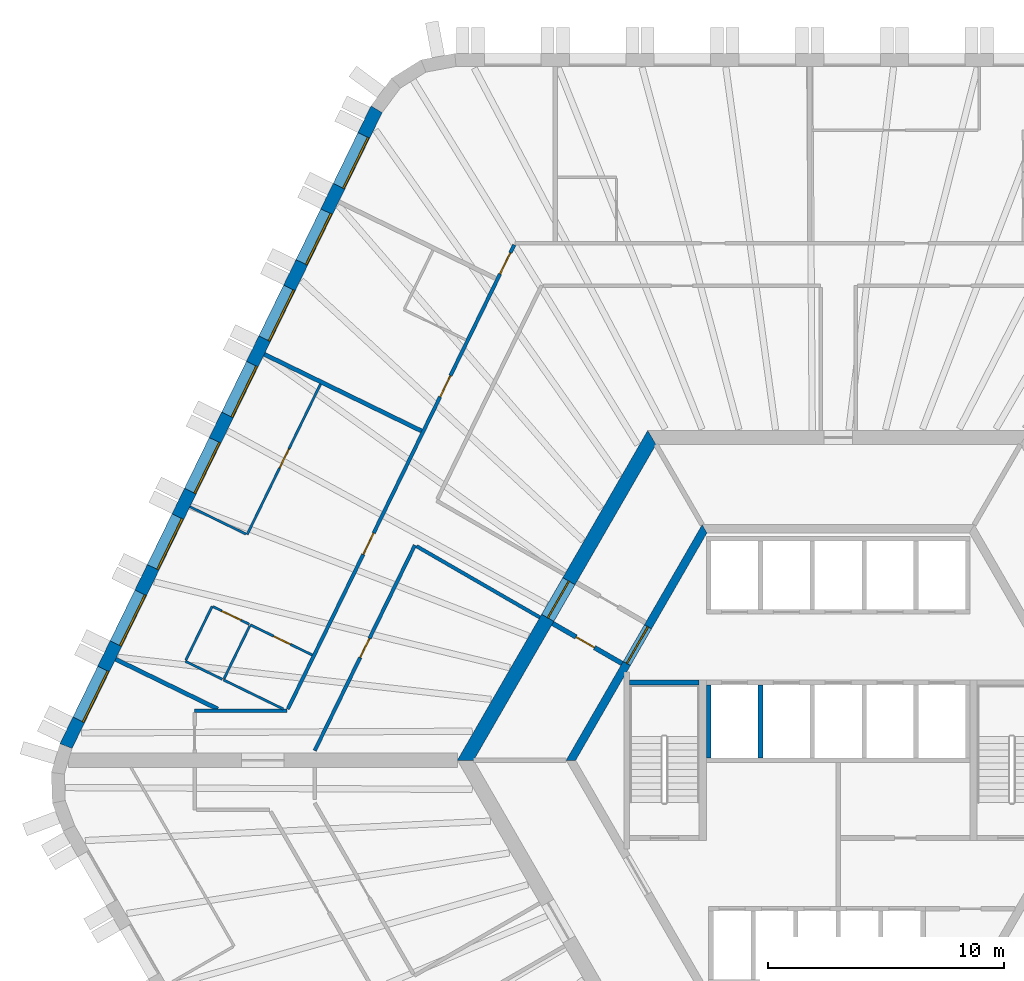
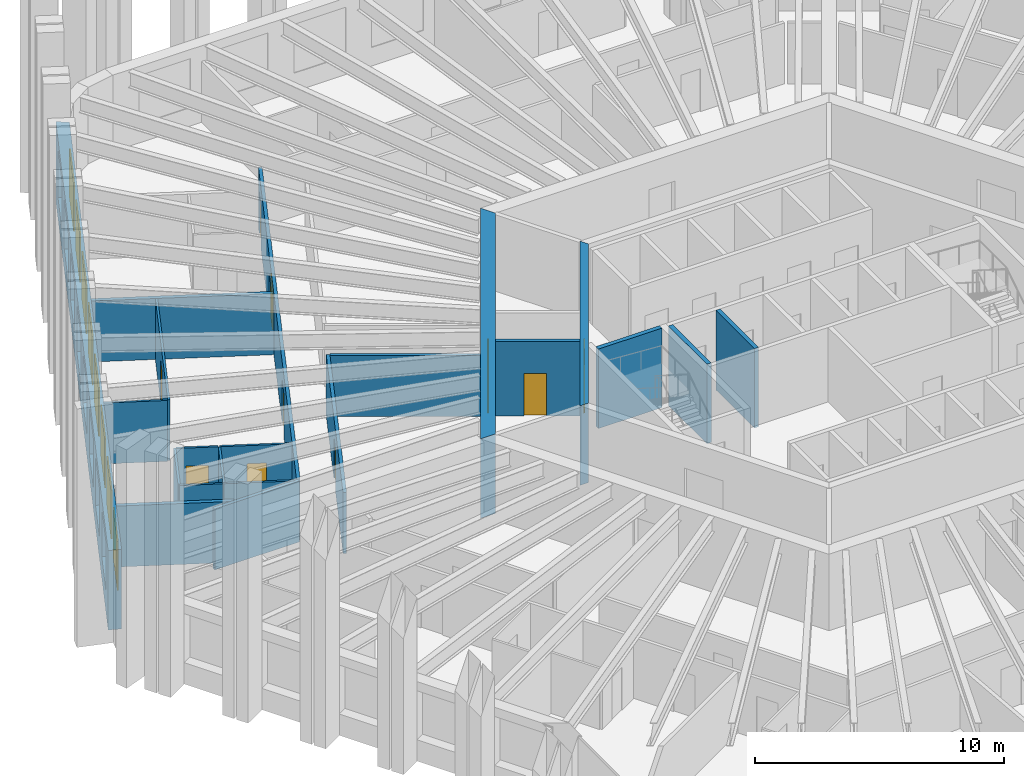
# One storey, part 7 of 13: 21 walls, 10 doors, 8 windows, 18 openings.
"""IFC4 building model written with IfcOpenShell, lengths in metres."""

from ifc_helpers import new_model, si_unit, direction, frame, frame_2d, origin, place, context, subcontext, project, spatial, polyline, rectangle, outline, extrude, material, layer, layer_set, type_object, element, fill, save


model = new_model("IFC4")

# Units and contexts
model_context = context("Model", 3, precision=1e-05, world=origin(), true_north=direction((0.0, 1.0)))
body_context = subcontext(model_context, "Body", "Model", "MODEL_VIEW")
ifc_project = project(units=[si_unit("LENGTHUNIT", "METRE"), si_unit("AREAUNIT", "SQUARE_METRE"), si_unit("VOLUMEUNIT", "CUBIC_METRE"), si_unit("PLANEANGLEUNIT", "RADIAN"), si_unit("MASSUNIT", "GRAM", prefix="KILO")], contexts=[model_context])

# Site, building, storey
site_placement = place(None, origin())
site = spatial("IfcSite", under=ifc_project, at=site_placement, CompositionType="ELEMENT")
building_placement = place(site_placement, origin())
building = spatial("IfcBuilding", under=site, at=building_placement, Name="Tarnside Tower", CompositionType="ELEMENT")
storey_placement = place(building_placement, frame((0.0, 0.0, 68.699951171875)))
storey = spatial("IfcBuildingStorey", under=building, at=storey_placement, Name="L14", CompositionType="ELEMENT", Elevation=68.699951171875)

# Wall
ifc_material_1 = material(Name="Gypsum board partition on steel studs", Category="steel")
ifc_layer_1 = layer(ifc_material_1, 0.10009765625)
ifc_layer_set_1 = layer_set([ifc_layer_1], Name="Bathroom wall 100")
wall_type_1 = type_object("IfcWallType", Name="Bathroom wall 100", PredefinedType="PARTITIONING", material=ifc_layer_set_1)
wall_1_placement = place(storey_placement, frame((-23.551025390625, 2.175048828125, 0.0), z_axis=(0.0, 0.0, 1.0), x_axis=(-0.89881903386, 0.438319910991, 0.0)))
element("IfcWall", 1, at=wall_1_placement, inside=storey, type_object=wall_type_1, Name="Bathroom wall 04096", PredefinedType="PARTITIONING", context=body_context, shape_type="SweptSolid", body=[
    extrude(rectangle(XDim=2.828857421875, YDim=0.10009765625, at=frame_2d((1.41455078125, 0.0))), origin(), (0.0, 0.0, 1.0), 2.98779296875),
])

# Wall, opening, door
wall_2_placement = place(storey_placement, frame((-24.9541015625, 5.751953125, 0.0), z_axis=(0.0, 0.0, 1.0), x_axis=(0.89880694479, -0.438344699976, 0.0)))
wall_2 = element("IfcWall", 2, at=wall_2_placement, inside=storey, type_object=wall_type_1, Name="Bathroom wall 04097", PredefinedType="PARTITIONING", context=body_context, shape_type="SweptSolid", body=[
    extrude(rectangle(XDim=2.925048828125, YDim=0.10009765625, at=frame_2d((1.46240234375, 0.0))), origin(), (0.0, 0.0, 1.0), 2.98779296875),
])
opening_1_placement = place(wall_2_placement, frame((1.10009765625, 0.0, 0.0)))
opening_1 = element("IfcOpeningElement", 3, at=opening_1_placement, cuts=wall_2, Name="Opening D-B1", PredefinedType="OPENING", context=body_context, shape_type="SweptSolid", body=[
    extrude(rectangle(XDim=0.800048828125, YDim=2.10009765625, at=frame_2d((0.39990234375, 1.050048828125))), frame((0.0, 0.06005859375, 0.0), z_axis=(0.0, -1.0, 0.0), x_axis=(1.0, 0.0, 0.0)), (0.0, 0.0, 1.0), 0.1201171875),
])
ifc_material_2 = material(Name="Timber door leaf", Category="wood")
door_type_1 = type_object("IfcDoorType", Name="Bathroom door 800", OperationType="NOTDEFINED", PredefinedType="DOOR", material=ifc_material_2)
door_1_placement = place(opening_1_placement, origin())
door_1 = element("IfcDoor", 4, at=door_1_placement, inside=storey, type_object=door_type_1, Name="Bathroom door 04011", OperationType="SINGLE_SWING_LEFT", OverallHeight=2.10009765625, OverallWidth=0.800048828125, PredefinedType="DOOR", context=body_context, shape_type="SweptSolid", body=[
    extrude(rectangle(XDim=0.800048828125, YDim=2.10009765625, at=frame_2d((0.39990234375, 1.050048828125))), frame((0.0, 0.02490234375, 0.0), z_axis=(0.0, -1.0, 0.0), x_axis=(1.0, 0.0, 0.0)), (0.0, 0.0, 1.0), 0.050048828125),
])
fill(opening_1, door_1)

# Wall
wall_3_placement = place(storey_placement, frame((-24.975830078125, 5.70703125, 0.0), z_axis=(0.0, 0.0, 1.0), x_axis=(-0.438363988158, -0.898797537761, 0.0)))
element("IfcWall", 5, at=wall_3_placement, inside=storey, type_object=wall_type_1, Name="Bathroom wall 04104", PredefinedType="PARTITIONING", context=body_context, shape_type="SweptSolid", body=[
    extrude(rectangle(XDim=2.5, YDim=0.10009765625, at=frame_2d((1.25, 0.0))), origin(), (0.0, 0.0, 1.0), 2.98779296875),
])

# Wall, opening, door
ifc_material_3 = material(Name="Concrete C50/60", Category="concrete")
ifc_layer_2 = layer(ifc_material_3, 0.35009765625)
ifc_layer_set_2 = layer_set([ifc_layer_2], Name="Core block wall 350 C50/60")
wall_type_2 = type_object("IfcWallType", Name="Core block wall 350 C50/60", PredefinedType="SHEAR", material=ifc_layer_set_2)
wall_4_placement = place(storey_placement, frame((-5.672607421875, 9.824951171875, -0.14990234375), z_axis=(0.0, 0.0, 1.0), x_axis=(-0.499995046907, -0.866028263435, 0.0)))
wall_4 = element("IfcWall", 6, at=wall_4_placement, inside=storey, type_object=wall_type_2, Name="L14 core block wall face 2", PredefinedType="SHEAR", context=body_context, shape_type="SweptSolid", body=[
    extrude(outline(polyline([(-0.10107421875, -0.175048828125), (11.44580078125, -0.175048828125), (11.24365234375, 0.175048828125), (0.10107421875, 0.175048828125), (-0.10107421875, -0.175048828125)])), origin(), (0.0, 0.0, 1.0), 3.89990234375),
])
opening_2_placement = place(wall_4_placement, frame((4.80126953125, 0.0, 0.14990234375)))
opening_2 = element("IfcOpeningElement", 7, at=opening_2_placement, cuts=wall_4, Name="Opening CD-LOB", PredefinedType="OPENING", context=body_context, shape_type="SweptSolid", body=[
    extrude(rectangle(XDim=1.800048828125, YDim=2.39990234375, at=frame_2d((0.89990234375, 1.199951171875))), frame((0.0, 0.18505859375, 0.0), z_axis=(0.0, -1.0, 0.0), x_axis=(1.0, 0.0, 0.0)), (0.0, 0.0, 1.0), 0.3701171875),
])
ifc_material_4 = material(Name="Steel fire door", Category="steel")
door_type_2 = type_object("IfcDoorType", Name="Lobby double door FD30S 1800x2400", OperationType="NOTDEFINED", PredefinedType="DOOR", material=ifc_material_4)
door_2_placement = place(opening_2_placement, origin())
door_2 = element("IfcDoor", 8, at=door_2_placement, inside=storey, type_object=door_type_2, Name="L14 lobby block door P1", OperationType="DOUBLE_DOOR_SINGLE_SWING", OverallHeight=2.39990234375, OverallWidth=1.800048828125, PredefinedType="DOOR", context=body_context, shape_type="SweptSolid", body=[
    extrude(rectangle(XDim=1.800048828125, YDim=2.39990234375, at=frame_2d((0.89990234375, 1.199951171875))), frame((0.0, 0.02490234375, 0.0), z_axis=(0.0, -1.0, 0.0), x_axis=(1.0, 0.0, 0.0)), (0.0, 0.0, 1.0), 0.050048828125),
])
fill(opening_2, door_2)

ifc_material_5 = material(Name="Concrete C40/50", Category="concrete")
ifc_layer_3 = layer(ifc_material_5, 0.199951171875)
ifc_layer_set_3 = layer_set([ifc_layer_3], Name="Core room partition 200 C40/50")
wall_type_3 = type_object("IfcWallType", Name="Core room partition 200 C40/50", PredefinedType="PARTITIONING", material=ifc_layer_set_3)
wall_5_placement = place(storey_placement, frame((-9.1748046875, 4.10888671875, 0.0), z_axis=(0.0, 0.0, 1.0), x_axis=(-0.865989465428, 0.500062241894, 0.0)))
wall_5 = element("IfcWall", 9, at=wall_5_placement, inside=storey, type_object=wall_type_3, Name="L14 core partition AC1L", PredefinedType="PARTITIONING", context=body_context, shape_type="SweptSolid", body=[
    extrude(rectangle(XDim=3.39990234375, YDim=0.199951171875, at=frame_2d((1.699951171875, 0.0))), origin(), (0.0, 0.0, 1.0), 3.650146484375),
])
opening_3_placement = place(wall_5_placement, frame((1.3505859375, 0.0, 0.0)))
opening_3 = element("IfcOpeningElement", 10, at=opening_3_placement, cuts=wall_5, Name="Opening CD-room", PredefinedType="OPENING", context=body_context, shape_type="SweptSolid", body=[
    extrude(rectangle(XDim=0.89990234375, YDim=2.10009765625, at=frame_2d((0.449951171875, 1.050048828125))), frame((0.0, 0.10986328125, 0.0), z_axis=(0.0, -1.0, 0.0), x_axis=(1.0, 0.0, 0.0)), (0.0, 0.0, 1.0), 0.219970703125),
])
door_type_3 = type_object("IfcDoorType", Name="Room door FD60 900x2100", OperationType="NOTDEFINED", PredefinedType="DOOR", material=ifc_material_4)
door_3_placement = place(opening_3_placement, origin())
door_3 = element("IfcDoor", 11, at=door_3_placement, inside=storey, type_object=door_type_3, Name="L14 core room door AX1L", OperationType="SINGLE_SWING_LEFT", OverallHeight=2.10009765625, OverallWidth=0.89990234375, PredefinedType="DOOR", context=body_context, shape_type="SweptSolid", body=[
    extrude(rectangle(XDim=0.89990234375, YDim=2.10009765625, at=frame_2d((0.449951171875, 1.050048828125))), frame((0.0, 0.02490234375, 0.0), z_axis=(0.0, -1.0, 0.0), x_axis=(1.0, 0.0, 0.0)), (0.0, 0.0, 1.0), 0.050048828125),
])
fill(opening_3, door_3)

ifc_material_6 = material(Name="Concrete C80/95", Category="concrete")
ifc_layer_4 = layer(ifc_material_6, 0.60009765625)
ifc_layer_set_4 = layer_set([ifc_layer_4], Name="Core wall Z1 600 C80/95")
wall_type_4 = type_object("IfcWallType", Name="Core wall Z1 600 C80/95", PredefinedType="SHEAR", material=ifc_layer_set_4)
wall_6_placement = place(storey_placement, frame((-7.90966796875, 13.699951171875, -0.14990234375), z_axis=(0.0, 0.0, 1.0), x_axis=(-0.499999880136, -0.866025472988, 0.0)))
wall_6 = element("IfcWall", 12, at=wall_6_placement, inside=storey, type_object=wall_type_4, Name="L14 core wall face 2", PredefinedType="SHEAR", context=body_context, shape_type="SweptSolid", body=[
    extrude(outline(polyline([(-0.17333984375, -0.300048828125), (15.99267578125, -0.300048828125), (15.64599609375, 0.300048828125), (0.17333984375, 0.300048828125), (-0.17333984375, -0.300048828125)])), origin(), (0.0, 0.0, 1.0), 3.89990234375),
])
opening_4_placement = place(wall_6_placement, frame((7.03857421875, 0.0, 0.14990234375)))
opening_4 = element("IfcOpeningElement", 13, at=opening_4_placement, cuts=wall_6, Name="Opening CD-LOB", PredefinedType="OPENING", context=body_context, shape_type="SweptSolid", body=[
    extrude(rectangle(XDim=1.800048828125, YDim=2.39990234375, at=frame_2d((0.89990234375, 1.199951171875))), frame((0.0, 0.31005859375, 0.0), z_axis=(0.0, -1.0, 0.0), x_axis=(1.0, 0.0, 0.0)), (0.0, 0.0, 1.0), 0.6201171875),
])
door_4_placement = place(opening_4_placement, origin())
door_4 = element("IfcDoor", 14, at=door_4_placement, inside=storey, type_object=door_type_2, Name="L14 core door P1", OperationType="DOUBLE_DOOR_SINGLE_SWING", OverallHeight=2.39990234375, OverallWidth=1.800048828125, PredefinedType="DOOR", context=body_context, shape_type="SweptSolid", body=[
    extrude(rectangle(XDim=1.800048828125, YDim=2.39990234375, at=frame_2d((0.89990234375, 1.199951171875))), frame((0.0, 0.02490234375, 0.0), z_axis=(0.0, -1.0, 0.0), x_axis=(1.0, 0.0, 0.0)), (0.0, 0.0, 1.0), 0.050048828125),
])
fill(opening_4, door_4)

# Wall, openings, doors
ifc_layer_5 = layer(ifc_material_1, 0.14990234375)
ifc_layer_set_5 = layer_set([ifc_layer_5], Name="Corridor wall 150 EI 60")
wall_type_5 = type_object("IfcWallType", Name="Corridor wall 150 EI 60", PredefinedType="PARTITIONING", material=ifc_layer_set_5)
wall_7_placement = place(storey_placement, frame((-13.75244140625, 21.875, 0.0), z_axis=(0.0, 0.0, 1.0), x_axis=(-0.438374473378, -0.898792423806, 0.0)))
wall_7 = element("IfcWall", 15, at=wall_7_placement, inside=storey, type_object=wall_type_5, Name="Corridor wall 04008", PredefinedType="PARTITIONING", context=body_context, shape_type="SweptSolid", body=[
    extrude(rectangle(XDim=21.918212890625, YDim=0.14990234375, at=frame_2d((10.958984375, 0.0))), origin(), (0.0, 0.0, 1.0), 2.98779296875),
])
opening_5_placement = place(wall_7_placement, frame((0.371337890625, 0.0, 0.0)))
opening_5 = element("IfcOpeningElement", 16, at=opening_5_placement, cuts=wall_7, Name="Opening D-E1", PredefinedType="OPENING", context=body_context, shape_type="SweptSolid", body=[
    extrude(rectangle(XDim=1.0, YDim=2.10009765625, at=frame_2d((0.5, 1.050048828125))), frame((0.0, 0.0849609375, 0.0), z_axis=(0.0, -1.0, 0.0), x_axis=(1.0, 0.0, 0.0)), (0.0, 0.0, 1.0), 0.169921875),
])
opening_6_placement = place(wall_7_placement, frame((6.17138671875, 0.0, 0.0)))
opening_6 = element("IfcOpeningElement", 17, at=opening_6_placement, cuts=wall_7, Name="Opening D-E1", PredefinedType="OPENING", context=body_context, shape_type="SweptSolid", body=[
    extrude(rectangle(XDim=1.0, YDim=2.10009765625, at=frame_2d((0.5, 1.050048828125))), frame((0.0, 0.0849609375, 0.0), z_axis=(0.0, -1.0, 0.0), x_axis=(1.0, 0.0, 0.0)), (0.0, 0.0, 1.0), 0.169921875),
])
opening_7_placement = place(wall_7_placement, frame((13.611572265625, 0.0, 0.0)))
opening_7 = element("IfcOpeningElement", 18, at=opening_7_placement, cuts=wall_7, Name="Opening D-E1", PredefinedType="OPENING", context=body_context, shape_type="SweptSolid", body=[
    extrude(rectangle(XDim=1.0, YDim=2.10009765625, at=frame_2d((0.5, 1.050048828125))), frame((0.0, 0.0849609375, 0.0), z_axis=(0.0, -1.0, 0.0), x_axis=(1.0, 0.0, 0.0)), (0.0, 0.0, 1.0), 0.169921875),
])
door_type_4 = type_object("IfcDoorType", Name="Unit entrance door 1000 FD30S", OperationType="NOTDEFINED", PredefinedType="DOOR", material=ifc_material_2)
door_5_placement = place(opening_5_placement, origin())
door_5 = element("IfcDoor", 19, at=door_5_placement, inside=storey, type_object=door_type_4, Name="Unit door 04007", OperationType="SINGLE_SWING_LEFT", OverallHeight=2.10009765625, OverallWidth=1.0, PredefinedType="DOOR", context=body_context, shape_type="SweptSolid", body=[
    extrude(rectangle(XDim=1.0, YDim=2.10009765625, at=frame_2d((0.5, 1.050048828125))), frame((0.0, 0.02490234375, 0.0), z_axis=(0.0, -1.0, 0.0), x_axis=(1.0, 0.0, 0.0)), (0.0, 0.0, 1.0), 0.050048828125),
])
fill(opening_5, door_5)
door_6_placement = place(opening_6_placement, origin())
door_6 = element("IfcDoor", 20, at=door_6_placement, inside=storey, type_object=door_type_4, Name="Unit door 04008", OperationType="SINGLE_SWING_LEFT", OverallHeight=2.10009765625, OverallWidth=1.0, PredefinedType="DOOR", context=body_context, shape_type="SweptSolid", body=[
    extrude(rectangle(XDim=1.0, YDim=2.10009765625, at=frame_2d((0.5, 1.050048828125))), frame((0.0, 0.02490234375, 0.0), z_axis=(0.0, -1.0, 0.0), x_axis=(1.0, 0.0, 0.0)), (0.0, 0.0, 1.0), 0.050048828125),
])
fill(opening_6, door_6)
door_7_placement = place(opening_7_placement, origin())
door_7 = element("IfcDoor", 21, at=door_7_placement, inside=storey, type_object=door_type_4, Name="Unit door 04010", OperationType="SINGLE_SWING_LEFT", OverallHeight=2.10009765625, OverallWidth=1.0, PredefinedType="DOOR", context=body_context, shape_type="SweptSolid", body=[
    extrude(rectangle(XDim=1.0, YDim=2.10009765625, at=frame_2d((0.5, 1.050048828125))), frame((0.0, 0.02490234375, 0.0), z_axis=(0.0, -1.0, 0.0), x_axis=(1.0, 0.0, 0.0)), (0.0, 0.0, 1.0), 0.050048828125),
])
fill(opening_7, door_7)

# Wall
wall_8_placement = place(storey_placement, frame((-23.3974609375, 2.10009765625, 0.0), z_axis=(0.0, 0.0, 1.0), x_axis=(-1.0, 0.0, 0.0)))
element("IfcWall", 22, at=wall_8_placement, inside=storey, type_object=wall_type_5, Name="Corridor wall 04011", PredefinedType="PARTITIONING", context=body_context, shape_type="SweptSolid", body=[
    extrude(rectangle(XDim=3.9228515625, YDim=0.14990234375, at=frame_2d((1.96142578125, 0.0))), origin(), (0.0, 0.0, 1.0), 2.98779296875),
])

# Wall, opening, door
wall_9_placement = place(storey_placement, frame((-22.218994140625, 0.41015625, 0.0), z_axis=(0.0, 0.0, 1.0), x_axis=(0.438391891827, 0.898783927972, 0.0)))
wall_9 = element("IfcWall", 23, at=wall_9_placement, inside=storey, type_object=wall_type_5, Name="Corridor wall 04023", PredefinedType="PARTITIONING", context=body_context, shape_type="SweptSolid", body=[
    extrude(rectangle(XDim=9.698974609375, YDim=0.14990234375, at=frame_2d((4.849609375, 0.0))), origin(), (0.0, 0.0, 1.0), 2.98779296875),
])
opening_8_placement = place(wall_9_placement, frame((4.399658203125, 0.0, 0.0)))
opening_8 = element("IfcOpeningElement", 24, at=opening_8_placement, cuts=wall_9, Name="Opening D-S1", PredefinedType="OPENING", context=body_context, shape_type="SweptSolid", body=[
    extrude(rectangle(XDim=0.89990234375, YDim=2.10009765625, at=frame_2d((0.449951171875, 1.050048828125))), frame((0.0, 0.0849609375, 0.0), z_axis=(0.0, -1.0, 0.0), x_axis=(1.0, 0.0, 0.0)), (0.0, 0.0, 1.0), 0.169921875),
])
door_type_5 = type_object("IfcDoorType", Name="Service room door 900 FD30S", OperationType="NOTDEFINED", PredefinedType="DOOR", material=ifc_material_2)
door_8_placement = place(opening_8_placement, origin())
door_8 = element("IfcDoor", 25, at=door_8_placement, inside=storey, type_object=door_type_5, Name="Service door 04043", OperationType="SINGLE_SWING_LEFT", OverallHeight=2.10009765625, OverallWidth=0.89990234375, PredefinedType="DOOR", context=body_context, shape_type="SweptSolid", body=[
    extrude(rectangle(XDim=0.89990234375, YDim=2.10009765625, at=frame_2d((0.449951171875, 1.050048828125))), frame((0.0, 0.02490234375, 0.0), z_axis=(0.0, -1.0, 0.0), x_axis=(1.0, 0.0, 0.0)), (0.0, 0.0, 1.0), 0.050048828125),
])
fill(opening_8, door_8)

# Walls
wall_10_placement = place(storey_placement, frame((-17.902099609375, 9.08984375, 0.0), z_axis=(0.0, 0.0, 1.0), x_axis=(0.866036368755, -0.499981007633, 0.0)))
element("IfcWall", 26, at=wall_10_placement, inside=storey, type_object=wall_type_5, Name="Corridor wall 04024", PredefinedType="PARTITIONING", context=body_context, shape_type="SweptSolid", body=[
    extrude(rectangle(XDim=6.048583984375, YDim=0.14990234375, at=frame_2d((3.0244140625, 0.0))), origin(), (0.0, 0.0, 1.0), 2.98779296875),
])
ifc_layer_6 = layer(ifc_material_1, 0.179931640625)
ifc_layer_set_6 = layer_set([ifc_layer_6], Name="Demising wall 180 EI 60")
wall_type_6 = type_object("IfcWallType", Name="Demising wall 180 EI 60", PredefinedType="PARTITIONING", material=ifc_layer_set_6)
wall_11_placement = place(storey_placement, frame((-24.3603515625, 17.234130859375, 0.0), z_axis=(0.0, 0.0, 1.0), x_axis=(0.898796252669, -0.438366623032, 0.0)))
element("IfcWall", 27, at=wall_11_placement, inside=storey, type_object=wall_type_6, Name="Demising wall 04094", PredefinedType="PARTITIONING", context=body_context, shape_type="SweptSolid", body=[
    extrude(rectangle(XDim=7.425048828125, YDim=0.179931640625, at=frame_2d((3.71240234375, 0.0))), origin(), (0.0, 0.0, 1.0), 2.98779296875),
])
wall_12_placement = place(storey_placement, frame((-30.673095703125, 4.29150390625, 0.0), z_axis=(0.0, 0.0, 1.0), x_axis=(0.898812662672, -0.438332975512, 0.0)))
element("IfcWall", 28, at=wall_12_placement, inside=storey, type_object=wall_type_6, Name="Demising wall 04103", PredefinedType="PARTITIONING", context=body_context, shape_type="SweptSolid", body=[
    extrude(rectangle(XDim=4.828369140625, YDim=0.179931640625, at=frame_2d((2.4140625, 0.0))), origin(), (0.0, 0.0, 1.0), 2.98779296875),
])
ifc_layer_7 = layer(ifc_material_5, 0.199951171875)
ifc_layer_set_7 = layer_set([ifc_layer_7], Name="Lift shaft wall 200 C40/50")
wall_type_7 = type_object("IfcWallType", Name="Lift shaft wall 200 C40/50", PredefinedType="SHEAR", material=ifc_layer_set_7)
for number, where, z_axis, x_axis, name in (
    (29, (-5.5, 0.10009765625, -0.25), (0.0, 0.0, 1.0), (0.0, 1.0, 0.0), "L14 lift shaft partition R21"),
    (30, (-3.300048828125, 0.10009765625, -0.25), (0.0, 0.0, 1.0), (0.0, 1.0, 0.0), "L14 lift shaft partition R22"),
):
    element("IfcWall", number, at=place(storey_placement, frame(where, z_axis=z_axis, x_axis=x_axis)), inside=storey, type_object=wall_type_7, Name=name, PredefinedType="SHEAR", context=body_context, shape_type="SweptSolid", body=[
        extrude(rectangle(XDim=3.099853515625, YDim=0.199951171875, at=frame_2d((1.5498046875, 0.0))), origin(), (0.0, 0.0, 1.0), 3.900146484375),
    ])
wall_13_placement = place(storey_placement, frame((-8.85009765625, 3.300048828125, -0.25), z_axis=(0.0, 0.0, 1.0), x_axis=(1.0, 0.0, 0.0)))
element("IfcWall", 31, at=wall_13_placement, inside=storey, type_object=wall_type_7, Name="L14 stair 2 enclosure cap wall n", PredefinedType="SHEAR", context=body_context, shape_type="SweptSolid", body=[
    extrude(rectangle(XDim=2.9501953125, YDim=0.199951171875, at=frame_2d((1.47509765625, 0.0))), origin(), (0.0, 0.0, 1.0), 3.900146484375),
])
ifc_layer_8 = layer(ifc_material_1, 0.10009765625)
ifc_layer_set_8 = layer_set([ifc_layer_8], Name="Partition 100")
wall_type_8 = type_object("IfcWallType", Name="Partition 100", PredefinedType="PARTITIONING", material=ifc_layer_set_8)
wall_14_placement = place(storey_placement, frame((-26.138671875, 3.43701171875, 0.0), z_axis=(0.0, 0.0, 1.0), x_axis=(-0.89881938742, 0.438319185981, 0.0)))
element("IfcWall", 32, at=wall_14_placement, inside=storey, type_object=wall_type_8, Name="Partition wall 04098", PredefinedType="PARTITIONING", context=body_context, shape_type="SweptSolid", body=[
    extrude(rectangle(XDim=1.75, YDim=0.10009765625, at=frame_2d((0.875, 0.0))), origin(), (0.0, 0.0, 1.0), 2.98779296875),
])
wall_15_placement = place(storey_placement, frame((-27.689697265625, 4.2490234375, 0.0), z_axis=(0.0, 0.0, 1.0), x_axis=(0.438384020656, 0.898787767181, 0.0)))
element("IfcWall", 33, at=wall_15_placement, inside=storey, type_object=wall_type_8, Name="Partition wall 04099", PredefinedType="PARTITIONING", context=body_context, shape_type="SweptSolid", body=[
    extrude(rectangle(XDim=2.550048828125, YDim=0.10009765625, at=frame_2d((1.27490234375, 0.0))), origin(), (0.0, 0.0, 1.0), 2.98779296875),
])

# Wall, opening, door
wall_16_placement = place(storey_placement, frame((-26.52685546875, 6.51904296875, 0.0), z_axis=(0.0, 0.0, 1.0), x_axis=(0.898807091918, -0.438344398296, 0.0)))
wall_16 = element("IfcWall", 34, at=wall_16_placement, inside=storey, type_object=wall_type_8, Name="Partition wall 04100", PredefinedType="PARTITIONING", context=body_context, shape_type="SweptSolid", body=[
    extrude(rectangle(XDim=1.699951171875, YDim=0.10009765625, at=frame_2d((0.85009765625, 0.0))), origin(), (0.0, 0.0, 1.0), 2.98779296875),
])
opening_9_placement = place(wall_16_placement, frame((0.39990234375, 0.0, 0.0)))
opening_9 = element("IfcOpeningElement", 35, at=opening_9_placement, cuts=wall_16, Name="Opening D-I1", PredefinedType="OPENING", context=body_context, shape_type="SweptSolid", body=[
    extrude(rectangle(XDim=0.89990234375, YDim=2.10009765625, at=frame_2d((0.449951171875, 1.050048828125))), frame((0.0, 0.06005859375, 0.0), z_axis=(0.0, -1.0, 0.0), x_axis=(1.0, 0.0, 0.0)), (0.0, 0.0, 1.0), 0.1201171875),
])
door_type_6 = type_object("IfcDoorType", Name="Internal door 900", OperationType="NOTDEFINED", PredefinedType="DOOR", material=ifc_material_2)
door_9_placement = place(opening_9_placement, origin())
door_9 = element("IfcDoor", 36, at=door_9_placement, inside=storey, type_object=door_type_6, Name="Internal door 04012", OperationType="SINGLE_SWING_RIGHT", OverallHeight=2.10009765625, OverallWidth=0.89990234375, PredefinedType="DOOR", context=body_context, shape_type="SweptSolid", body=[
    extrude(rectangle(XDim=0.89990234375, YDim=2.10009765625, at=frame_2d((0.449951171875, 1.050048828125))), frame((0.0, 0.02490234375, 0.0), z_axis=(0.0, -1.0, 0.0), x_axis=(1.0, 0.0, 0.0)), (0.0, 0.0, 1.0), 0.050048828125),
])
fill(opening_9, door_9)

wall_17_placement = place(storey_placement, frame((-21.97314453125, 15.9697265625, 0.0), z_axis=(0.0, 0.0, 1.0), x_axis=(-0.438360036982, -0.898799464829, 0.0)))
wall_17 = element("IfcWall", 37, at=wall_17_placement, inside=storey, type_object=wall_type_8, Name="Partition wall 04101", PredefinedType="PARTITIONING", context=body_context, shape_type="SweptSolid", body=[
    extrude(rectangle(XDim=7.10986328125, YDim=0.10009765625, at=frame_2d((3.554931640625, 0.0))), origin(), (0.0, 0.0, 1.0), 2.98779296875),
])
opening_10_placement = place(wall_17_placement, frame((3.06005859375, 0.0, 0.0)))
opening_10 = element("IfcOpeningElement", 38, at=opening_10_placement, cuts=wall_17, Name="Opening D-I1", PredefinedType="OPENING", context=body_context, shape_type="SweptSolid", body=[
    extrude(rectangle(XDim=0.89990234375, YDim=2.10009765625, at=frame_2d((0.449951171875, 1.050048828125))), frame((0.0, 0.06005859375, 0.0), z_axis=(0.0, -1.0, 0.0), x_axis=(1.0, 0.0, 0.0)), (0.0, 0.0, 1.0), 0.1201171875),
])
door_10_placement = place(opening_10_placement, origin())
door_10 = element("IfcDoor", 39, at=door_10_placement, inside=storey, type_object=door_type_6, Name="Internal door 04013", OperationType="SINGLE_SWING_RIGHT", OverallHeight=2.10009765625, OverallWidth=0.89990234375, PredefinedType="DOOR", context=body_context, shape_type="SweptSolid", body=[
    extrude(rectangle(XDim=0.89990234375, YDim=2.10009765625, at=frame_2d((0.449951171875, 1.050048828125))), frame((0.0, 0.02490234375, 0.0), z_axis=(0.0, -1.0, 0.0), x_axis=(1.0, 0.0, 0.0)), (0.0, 0.0, 1.0), 0.050048828125),
])
fill(opening_10, door_10)

# Wall
wall_18_placement = place(storey_placement, frame((-25.135009765625, 9.601318359375, 0.0), z_axis=(0.0, 0.0, 1.0), x_axis=(-0.898787925725, 0.438383695602, 0.0)))
element("IfcWall", 40, at=wall_18_placement, inside=storey, type_object=wall_type_8, Name="Partition wall 04102", PredefinedType="PARTITIONING", context=body_context, shape_type="SweptSolid", body=[
    extrude(rectangle(XDim=2.64990234375, YDim=0.10009765625, at=frame_2d((1.324951171875, 0.0))), origin(), (0.0, 0.0, 1.0), 2.98779296875),
])

# Wall, openings, windows
ifc_material_7 = material(Name="Facing brick", Category="masonry")
ifc_layer_9 = layer(ifc_material_7, 0.10205078125)
ifc_material_8 = material(Name="Concrete C60/75 precast", Category="concrete")
ifc_layer_10 = layer(ifc_material_8, 0.347900390625)
ifc_material_9 = material(Name="Mineral wool insulation")
ifc_layer_11 = layer(ifc_material_9, 0.10009765625)
ifc_layer_set_9 = layer_set([ifc_layer_9, ifc_layer_10, ifc_layer_11], Name="Tube wall 550 brick faced")
wall_type_9 = type_object("IfcWallType", Name="Tube wall 550 brick faced", PredefinedType="SOLIDWALL", material=ifc_layer_set_9)
wall_19_placement = place(storey_placement, frame((-19.5947265625, 27.6328125, -0.14990234375), z_axis=(0.0, 0.0, 1.0), x_axis=(-0.438368285794, -0.898795441694, 0.0)))
wall_19 = element("IfcWall", 41, at=wall_19_placement, inside=storey, type_object=wall_type_9, Name="Tube wall L14 F2 flush 04", PredefinedType="SOLIDWALL", context=body_context, shape_type="SweptSolid", body=[
    extrude(outline(polyline([(-0.025634765625, -0.27490234375), (30.09326171875, -0.27490234375), (30.04833984375, 0.27490234375), (0.025634765625, 0.27490234375), (-0.025634765625, -0.27490234375)])), origin(), (0.0, 0.0, 1.0), 3.89990234375),
])
opening_11_placement = place(wall_19_placement, frame((1.235595703125, 0.0, 1.050048828125)))
opening_11 = element("IfcOpeningElement", 42, at=opening_11_placement, cuts=wall_19, Name="Opening WH", PredefinedType="OPENING", context=body_context, shape_type="SweptSolid", body=[
    extrude(rectangle(XDim=2.39990234375, YDim=2.39990234375, at=frame_2d((1.199951171875, 1.199951171875))), frame((0.0, 0.28515625, 0.0), z_axis=(0.0, -1.0, 0.0), x_axis=(1.0, 0.0, 0.0)), (0.0, 0.0, 1.0), 0.570068359375),
])
opening_12_placement = place(wall_19_placement, frame((4.83544921875, 0.0, 1.050048828125)))
opening_12 = element("IfcOpeningElement", 43, at=opening_12_placement, cuts=wall_19, Name="Opening WH", PredefinedType="OPENING", context=body_context, shape_type="SweptSolid", body=[
    extrude(rectangle(XDim=2.39990234375, YDim=2.39990234375, at=frame_2d((1.199951171875, 1.199951171875))), frame((0.0, 0.28515625, 0.0), z_axis=(0.0, -1.0, 0.0), x_axis=(1.0, 0.0, 0.0)), (0.0, 0.0, 1.0), 0.570068359375),
])
opening_13_placement = place(wall_19_placement, frame((8.435546875, 0.0, 1.050048828125)))
opening_13 = element("IfcOpeningElement", 44, at=opening_13_placement, cuts=wall_19, Name="Opening WH", PredefinedType="OPENING", context=body_context, shape_type="SweptSolid", body=[
    extrude(rectangle(XDim=2.39990234375, YDim=2.39990234375, at=frame_2d((1.199951171875, 1.199951171875))), frame((0.0, 0.28515625, 0.0), z_axis=(0.0, -1.0, 0.0), x_axis=(1.0, 0.0, 0.0)), (0.0, 0.0, 1.0), 0.570068359375),
])
opening_14_placement = place(wall_19_placement, frame((12.035400390625, 0.0, 1.050048828125)))
opening_14 = element("IfcOpeningElement", 45, at=opening_14_placement, cuts=wall_19, Name="Opening WH", PredefinedType="OPENING", context=body_context, shape_type="SweptSolid", body=[
    extrude(rectangle(XDim=2.39990234375, YDim=2.39990234375, at=frame_2d((1.199951171875, 1.199951171875))), frame((0.0, 0.28515625, 0.0), z_axis=(0.0, -1.0, 0.0), x_axis=(1.0, 0.0, 0.0)), (0.0, 0.0, 1.0), 0.570068359375),
])
opening_15_placement = place(wall_19_placement, frame((15.635498046875, 0.0, 1.050048828125)))
opening_15 = element("IfcOpeningElement", 46, at=opening_15_placement, cuts=wall_19, Name="Opening WH", PredefinedType="OPENING", context=body_context, shape_type="SweptSolid", body=[
    extrude(rectangle(XDim=2.39990234375, YDim=2.39990234375, at=frame_2d((1.199951171875, 1.199951171875))), frame((0.0, 0.28515625, 0.0), z_axis=(0.0, -1.0, 0.0), x_axis=(1.0, 0.0, 0.0)), (0.0, 0.0, 1.0), 0.570068359375),
])
opening_16_placement = place(wall_19_placement, frame((19.235595703125, 0.0, 1.050048828125)))
opening_16 = element("IfcOpeningElement", 47, at=opening_16_placement, cuts=wall_19, Name="Opening WH", PredefinedType="OPENING", context=body_context, shape_type="SweptSolid", body=[
    extrude(rectangle(XDim=2.39990234375, YDim=2.39990234375, at=frame_2d((1.199951171875, 1.199951171875))), frame((0.0, 0.28515625, 0.0), z_axis=(0.0, -1.0, 0.0), x_axis=(1.0, 0.0, 0.0)), (0.0, 0.0, 1.0), 0.570068359375),
])
opening_17_placement = place(wall_19_placement, frame((22.83544921875, 0.0, 1.050048828125)))
opening_17 = element("IfcOpeningElement", 48, at=opening_17_placement, cuts=wall_19, Name="Opening WH", PredefinedType="OPENING", context=body_context, shape_type="SweptSolid", body=[
    extrude(rectangle(XDim=2.39990234375, YDim=2.39990234375, at=frame_2d((1.199951171875, 1.199951171875))), frame((0.0, 0.28515625, 0.0), z_axis=(0.0, -1.0, 0.0), x_axis=(1.0, 0.0, 0.0)), (0.0, 0.0, 1.0), 0.570068359375),
])
opening_18_placement = place(wall_19_placement, frame((26.435546875, 0.0, 1.050048828125)))
opening_18 = element("IfcOpeningElement", 49, at=opening_18_placement, cuts=wall_19, Name="Opening WH", PredefinedType="OPENING", context=body_context, shape_type="SweptSolid", body=[
    extrude(rectangle(XDim=2.39990234375, YDim=2.39990234375, at=frame_2d((1.199951171875, 1.199951171875))), frame((0.0, 0.28515625, 0.0), z_axis=(0.0, -1.0, 0.0), x_axis=(1.0, 0.0, 0.0)), (0.0, 0.0, 1.0), 0.570068359375),
])
ifc_material_10 = material(Name="Aluminium-framed double glazing", Category="aluminium")
window_type = type_object("IfcWindowType", Name="Hotel window 2400 x 2400", PartitioningType="DOUBLE_PANEL_VERTICAL", PredefinedType="WINDOW", material=ifc_material_10)
window_1_placement = place(opening_11_placement, frame((0.0, 0.205078125, 0.0)))
window_1 = element("IfcWindow", 50, at=window_1_placement, inside=storey, type_object=window_type, Name="E.WN.L14.F2.00", OverallHeight=2.39990234375, OverallWidth=2.39990234375, PartitioningType="DOUBLE_PANEL_VERTICAL", PredefinedType="WINDOW", context=body_context, shape_type="SweptSolid", body=[
    extrude(rectangle(XDim=2.39990234375, YDim=2.39990234375, at=frame_2d((1.199951171875, 1.199951171875))), frame((0.0, 0.030029296875, 0.0), z_axis=(0.0, -1.0, 0.0), x_axis=(1.0, 0.0, 0.0)), (0.0, 0.0, 1.0), 0.06005859375),
])
fill(opening_11, window_1)
window_2_placement = place(opening_12_placement, frame((0.0, 0.205078125, 0.0)))
window_2 = element("IfcWindow", 51, at=window_2_placement, inside=storey, type_object=window_type, Name="E.WN.L14.F2.01", OverallHeight=2.39990234375, OverallWidth=2.39990234375, PartitioningType="DOUBLE_PANEL_VERTICAL", PredefinedType="WINDOW", context=body_context, shape_type="SweptSolid", body=[
    extrude(rectangle(XDim=2.39990234375, YDim=2.39990234375, at=frame_2d((1.199951171875, 1.199951171875))), frame((0.0, 0.030029296875, 0.0), z_axis=(0.0, -1.0, 0.0), x_axis=(1.0, 0.0, 0.0)), (0.0, 0.0, 1.0), 0.06005859375),
])
fill(opening_12, window_2)
window_3_placement = place(opening_13_placement, frame((0.0, 0.205078125, 0.0)))
window_3 = element("IfcWindow", 52, at=window_3_placement, inside=storey, type_object=window_type, Name="E.WN.L14.F2.02", OverallHeight=2.39990234375, OverallWidth=2.39990234375, PartitioningType="DOUBLE_PANEL_VERTICAL", PredefinedType="WINDOW", context=body_context, shape_type="SweptSolid", body=[
    extrude(rectangle(XDim=2.39990234375, YDim=2.39990234375, at=frame_2d((1.199951171875, 1.199951171875))), frame((0.0, 0.030029296875, 0.0), z_axis=(0.0, -1.0, 0.0), x_axis=(1.0, 0.0, 0.0)), (0.0, 0.0, 1.0), 0.06005859375),
])
fill(opening_13, window_3)
window_4_placement = place(opening_14_placement, frame((0.0, 0.205078125, 0.0)))
window_4 = element("IfcWindow", 53, at=window_4_placement, inside=storey, type_object=window_type, Name="E.WN.L14.F2.03", OverallHeight=2.39990234375, OverallWidth=2.39990234375, PartitioningType="DOUBLE_PANEL_VERTICAL", PredefinedType="WINDOW", context=body_context, shape_type="SweptSolid", body=[
    extrude(rectangle(XDim=2.39990234375, YDim=2.39990234375, at=frame_2d((1.199951171875, 1.199951171875))), frame((0.0, 0.030029296875, 0.0), z_axis=(0.0, -1.0, 0.0), x_axis=(1.0, 0.0, 0.0)), (0.0, 0.0, 1.0), 0.06005859375),
])
fill(opening_14, window_4)
window_5_placement = place(opening_15_placement, frame((0.0, 0.205078125, 0.0)))
window_5 = element("IfcWindow", 54, at=window_5_placement, inside=storey, type_object=window_type, Name="E.WN.L14.F2.04", OverallHeight=2.39990234375, OverallWidth=2.39990234375, PartitioningType="DOUBLE_PANEL_VERTICAL", PredefinedType="WINDOW", context=body_context, shape_type="SweptSolid", body=[
    extrude(rectangle(XDim=2.39990234375, YDim=2.39990234375, at=frame_2d((1.199951171875, 1.199951171875))), frame((0.0, 0.030029296875, 0.0), z_axis=(0.0, -1.0, 0.0), x_axis=(1.0, 0.0, 0.0)), (0.0, 0.0, 1.0), 0.06005859375),
])
fill(opening_15, window_5)
window_6_placement = place(opening_16_placement, frame((0.0, 0.205078125, 0.0)))
window_6 = element("IfcWindow", 55, at=window_6_placement, inside=storey, type_object=window_type, Name="E.WN.L14.F2.05", OverallHeight=2.39990234375, OverallWidth=2.39990234375, PartitioningType="DOUBLE_PANEL_VERTICAL", PredefinedType="WINDOW", context=body_context, shape_type="SweptSolid", body=[
    extrude(rectangle(XDim=2.39990234375, YDim=2.39990234375, at=frame_2d((1.199951171875, 1.199951171875))), frame((0.0, 0.030029296875, 0.0), z_axis=(0.0, -1.0, 0.0), x_axis=(1.0, 0.0, 0.0)), (0.0, 0.0, 1.0), 0.06005859375),
])
fill(opening_16, window_6)
window_7_placement = place(opening_17_placement, frame((0.0, 0.205078125, 0.0)))
window_7 = element("IfcWindow", 56, at=window_7_placement, inside=storey, type_object=window_type, Name="E.WN.L14.F2.06", OverallHeight=2.39990234375, OverallWidth=2.39990234375, PartitioningType="DOUBLE_PANEL_VERTICAL", PredefinedType="WINDOW", context=body_context, shape_type="SweptSolid", body=[
    extrude(rectangle(XDim=2.39990234375, YDim=2.39990234375, at=frame_2d((1.199951171875, 1.199951171875))), frame((0.0, 0.030029296875, 0.0), z_axis=(0.0, -1.0, 0.0), x_axis=(1.0, 0.0, 0.0)), (0.0, 0.0, 1.0), 0.06005859375),
])
fill(opening_17, window_7)
window_8_placement = place(opening_18_placement, frame((0.0, 0.205078125, 0.0)))
window_8 = element("IfcWindow", 57, at=window_8_placement, inside=storey, type_object=window_type, Name="E.WN.L14.F2.07", OverallHeight=2.39990234375, OverallWidth=2.39990234375, PartitioningType="DOUBLE_PANEL_VERTICAL", PredefinedType="WINDOW", context=body_context, shape_type="SweptSolid", body=[
    extrude(rectangle(XDim=2.39990234375, YDim=2.39990234375, at=frame_2d((1.199951171875, 1.199951171875))), frame((0.0, 0.030029296875, 0.0), z_axis=(0.0, -1.0, 0.0), x_axis=(1.0, 0.0, 0.0)), (0.0, 0.0, 1.0), 0.06005859375),
])
fill(opening_18, window_8)

save(model, "model.ifc")
